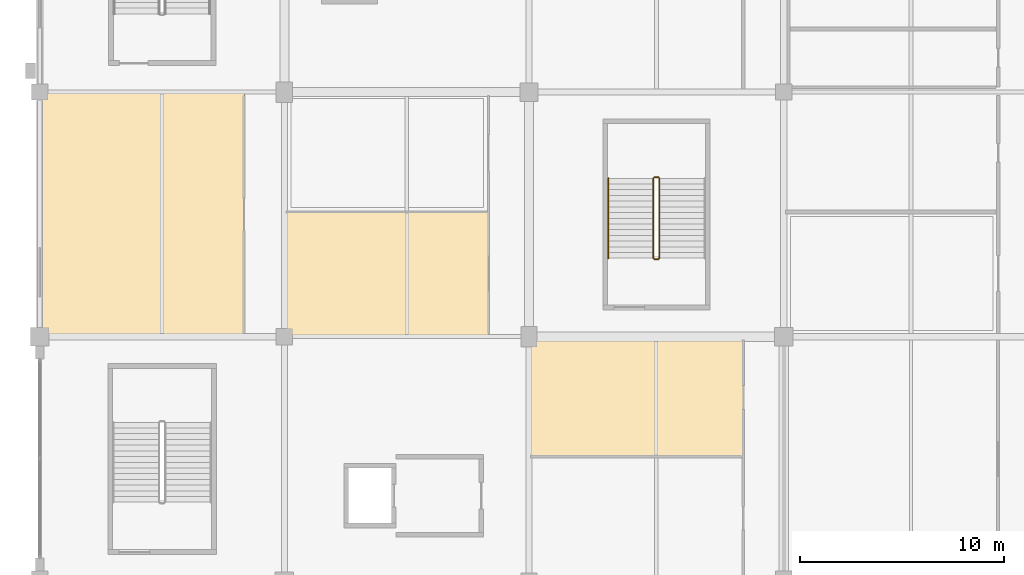
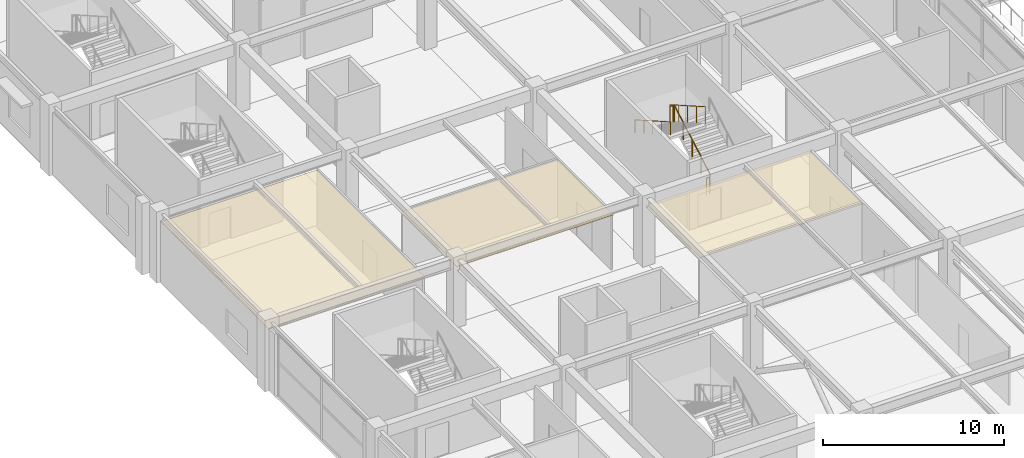
# One storey, part 110 of 134: 5 railings, 3 coverings.
"""IFC4 building model written with IfcOpenShell, lengths in metres."""

from ifc_helpers import new_model, si_unit, direction, frame, origin, origin_2d, place, context, subcontext, project, spatial, polyline, circle, outline, extrude, material, layer, layer_set, type_object, element, save


model = new_model("IFC4")

# Units and contexts
model_context = context("Model", 3, precision=1e-05, world=origin(), true_north=direction((0.0, 1.0)))
body_context = subcontext(model_context, "Body", "Model", "MODEL_VIEW")
ifc_project = project(units=[si_unit("LENGTHUNIT", "METRE"), si_unit("AREAUNIT", "SQUARE_METRE"), si_unit("VOLUMEUNIT", "CUBIC_METRE"), si_unit("PLANEANGLEUNIT", "RADIAN"), si_unit("MASSUNIT", "GRAM", prefix="KILO")], contexts=[model_context])

# Site, building, storey
site_placement = place(None, origin())
site = spatial("IfcSite", under=ifc_project, at=site_placement, CompositionType="ELEMENT")
building_placement = place(site_placement, origin())
building = spatial("IfcBuilding", under=site, at=building_placement, Name="Kazenohara Klinker Stadium", CompositionType="ELEMENT")
storey_placement = place(building_placement, frame((0.0, 0.0, 5.39990234375)))
storey = spatial("IfcBuildingStorey", under=building, at=storey_placement, Name="L01", CompositionType="ELEMENT", Elevation=5.39990234375)

# Coverings
ifc_material_1 = material(Name="Perforated acoustic mineral-fibre ceiling tile", Category="gypsum")
ifc_layer_1 = layer(ifc_material_1, 0.030029296875)
ifc_layer_set_1 = layer_set([ifc_layer_1], Name="Perforated acoustic mineral-fibre ceiling tile")
covering_type_1 = type_object("IfcCoveringType", Name="COV-CEIL-01", PredefinedType="CEILING", material=ifc_layer_set_1)
covering_1_placement = place(storey_placement, frame((0.0, 0.0, 3.75)))
element("IfcCovering", 1, at=covering_1_placement, inside=storey, type_object=covering_type_1, Name="Suspended acoustic ceiling CL01 Spectator First-Aid Medical Clinic L01-0010A", PredefinedType="CEILING", context=body_context, shape_type="SweptSolid", body=[
    extrude(outline(polyline([(0.06005859375, 120.0400390625), (10.0400390625, 120.0400390625), (10.0400390625, 131.9599609375), (0.06005859375, 131.9599609375), (0.06005859375, 120.0400390625)])), origin(), (0.0, 0.0, 1.0), 0.030029296875),
])
ifc_material_2 = material(Name="Slatted Hokkaido cedar acoustic baffle ceiling", Category="wood")
ifc_layer_2 = layer(ifc_material_2, 0.0400390625)
ifc_layer_set_2 = layer_set([ifc_layer_2], Name="Slatted Hokkaido cedar acoustic baffle ceiling")
covering_type_2 = type_object("IfcCoveringType", Name="COV-CEIL-02", PredefinedType="CEILING", material=ifc_layer_set_2)
covering_2_placement = place(storey_placement, frame((0.0, 0.0, 3.739990234375)))
element("IfcCovering", 2, at=covering_2_placement, inside=storey, type_object=covering_type_2, Name="Suspended acoustic ceiling CL02 Supporter Scarf and Jersey Retail Shop L01-0110A", PredefinedType="CEILING", context=body_context, shape_type="SweptSolid", body=[
    extrude(outline(polyline([(12.06005859375, 120.0400390625), (22.0400390625, 120.0400390625), (22.0400390625, 126.15673828125), (12.06005859375, 126.15673828125), (12.06005859375, 120.0400390625)])), origin(), (0.0, 0.0, 1.0), 0.0400390625),
])
covering_3_placement = place(storey_placement, frame((0.0, 0.0, 3.739990234375)))
element("IfcCovering", 3, at=covering_3_placement, inside=storey, type_object=covering_type_2, Name="Suspended acoustic ceiling CL02 Family Sensory Hospitality Lounge L01-0209B", PredefinedType="CEILING", context=body_context, shape_type="SweptSolid", body=[
    extrude(outline(polyline([(24.06005859375, 114.076904296875), (34.5400390625, 114.076904296875), (34.5400390625, 119.9599609375), (24.06005859375, 119.9599609375), (24.06005859375, 114.076904296875)])), origin(), (0.0, 0.0, 1.0), 0.0400390625),
])

# Railings
ifc_material_3 = material(Name="Brushed stainless steel 304 handrail", Category="steel")
ifc_layer_3 = layer(ifc_material_3, 0.050048828125)
ifc_layer_set_3 = layer_set([ifc_layer_3], Name="Brushed stainless steel 304 handrail")
railing_type_1 = type_object("IfcRailingType", Name="RL-HND-900", PredefinedType="HANDRAIL", material=ifc_layer_set_3)
railing_1_placement = place(storey_placement, frame((27.889892578125, 127.77001953125, 2.56005859375)))
element("IfcRailing", 4, at=railing_1_placement, inside=storey, type_object=railing_type_1, Name="L01 ST18 stair handrail 2", PredefinedType="HANDRAIL", context=body_context, shape_type="SweptSolid", body=[
    extrude(circle(Radius=0.02392578125, at=origin_2d()), frame((0.0, 0.0, 0.8759765625), z_axis=(0.0, -0.868239814368, 0.496144761885), x_axis=(1.0, 0.0, 0.0)), (0.0, 0.0, 1.0), 4.514892578125),
    extrude(circle(Radius=0.02099609375, at=origin_2d()), origin(), (0.0, 0.0, 1.0), 0.851806640625),
    extrude(circle(Radius=0.02099609375, at=origin_2d()), frame((0.0, -0.97998046875, 0.56005859375)), (0.0, 0.0, 1.0), 0.851806640625),
    extrude(circle(Radius=0.02099609375, at=origin_2d()), frame((0.0, -1.9599609375, 1.1201171875)), (0.0, 0.0, 1.0), 0.851806640625),
    extrude(circle(Radius=0.02099609375, at=origin_2d()), frame((0.0, -2.93994140625, 1.679931640625)), (0.0, 0.0, 1.0), 0.851806640625),
    extrude(circle(Radius=0.02099609375, at=origin_2d()), frame((0.0, -3.919921875, 2.239990234375)), (0.0, 0.0, 1.0), 0.851806640625),
])
ifc_material_4 = material(Name="Painted steel stairwell guardrail", Category="steel")
ifc_layer_4 = layer(ifc_material_4, 0.06005859375)
ifc_layer_set_4 = layer_set([ifc_layer_4], Name="Painted steel stairwell guardrail")
railing_type_2 = type_object("IfcRailingType", Name="RL-STG-1120", PredefinedType="GUARDRAIL", material=ifc_layer_set_4)
railing_2_placement = place(storey_placement, frame((30.39990234375, 123.85009765625, 0.16015625)))
element("IfcRailing", 5, at=railing_2_placement, inside=storey, type_object=railing_type_2, Name="L01 ST18 stair guard 1", PredefinedType="GUARDRAIL", context=body_context, shape_type="SweptSolid", body=[
    extrude(circle(Radius=0.02392578125, at=origin_2d()), frame((0.0, 0.0, 1.1259765625), z_axis=(0.0, 0.868239814368, 0.496144761885), x_axis=(-1.0, 0.0, 0.0)), (0.0, 0.0, 1.0), 4.514892578125),
    extrude(circle(Radius=0.02099609375, at=origin_2d()), origin(), (0.0, 0.0, 1.0), 1.101806640625),
    extrude(circle(Radius=0.02099609375, at=origin_2d()), frame((0.0, 0.97998046875, 0.56005859375)), (0.0, 0.0, 1.0), 1.101806640625),
    extrude(circle(Radius=0.02099609375, at=origin_2d()), frame((0.0, 1.9599609375, 1.1201171875)), (0.0, 0.0, 1.0), 1.101806640625),
    extrude(circle(Radius=0.02099609375, at=origin_2d()), frame((0.0, 2.93994140625, 1.679931640625)), (0.0, 0.0, 1.0), 1.101806640625),
    extrude(circle(Radius=0.02099609375, at=origin_2d()), frame((0.0, 3.919921875, 2.239990234375)), (0.0, 0.0, 1.0), 1.101806640625),
])
railing_3_placement = place(storey_placement, frame((30.35009765625, 127.820068359375, 2.400146484375)))
element("IfcRailing", 6, at=railing_3_placement, inside=storey, type_object=railing_type_2, Name="L01 ST18 stair guard 2", PredefinedType="GUARDRAIL", context=body_context, shape_type="SweptSolid", body=[
    extrude(circle(Radius=0.02392578125, at=origin_2d()), frame((0.0, 0.0, 1.1259765625), z_axis=(-1.0, 0.0, 0.0), x_axis=(0.0, -1.0, 0.0)), (0.0, 0.0, 1.0), 0.2001953125),
    extrude(circle(Radius=0.02099609375, at=origin_2d()), origin(), (0.0, 0.0, 1.0), 1.101806640625),
    extrude(circle(Radius=0.02099609375, at=origin_2d()), frame((-0.2001953125, 0.0, 0.0)), (0.0, 0.0, 1.0), 1.101806640625),
])
railing_4_placement = place(storey_placement, frame((30.10009765625, 127.77001953125, 2.56005859375)))
element("IfcRailing", 7, at=railing_4_placement, inside=storey, type_object=railing_type_2, Name="L01 ST18 stair guard 3", PredefinedType="GUARDRAIL", context=body_context, shape_type="SweptSolid", body=[
    extrude(circle(Radius=0.02392578125, at=origin_2d()), frame((0.0, 0.0, 1.1259765625), z_axis=(0.0, -0.868239814368, 0.496144761885), x_axis=(1.0, 0.0, 0.0)), (0.0, 0.0, 1.0), 4.514892578125),
    extrude(circle(Radius=0.02099609375, at=origin_2d()), origin(), (0.0, 0.0, 1.0), 1.101806640625),
    extrude(circle(Radius=0.02099609375, at=origin_2d()), frame((0.0, -0.97998046875, 0.56005859375)), (0.0, 0.0, 1.0), 1.101806640625),
    extrude(circle(Radius=0.02099609375, at=origin_2d()), frame((0.0, -1.9599609375, 1.1201171875)), (0.0, 0.0, 1.0), 1.101806640625),
    extrude(circle(Radius=0.02099609375, at=origin_2d()), frame((0.0, -2.93994140625, 1.679931640625)), (0.0, 0.0, 1.0), 1.101806640625),
    extrude(circle(Radius=0.02099609375, at=origin_2d()), frame((0.0, -3.919921875, 2.239990234375)), (0.0, 0.0, 1.0), 1.101806640625),
])
railing_5_placement = place(storey_placement, frame((30.35009765625, 123.800048828125, 0.0)))
element("IfcRailing", 8, at=railing_5_placement, inside=storey, type_object=railing_type_2, Name="L01 ST18 stair guard 4", PredefinedType="GUARDRAIL", context=body_context, shape_type="SweptSolid", body=[
    extrude(circle(Radius=0.02392578125, at=origin_2d()), frame((0.0, 0.0, 1.1259765625), z_axis=(-1.0, 0.0, 0.0), x_axis=(0.0, -1.0, 0.0)), (0.0, 0.0, 1.0), 0.2001953125),
    extrude(circle(Radius=0.02099609375, at=origin_2d()), origin(), (0.0, 0.0, 1.0), 1.101806640625),
    extrude(circle(Radius=0.02099609375, at=origin_2d()), frame((-0.2001953125, 0.0, 0.0)), (0.0, 0.0, 1.0), 1.101806640625),
])

save(model, "model.ifc")
